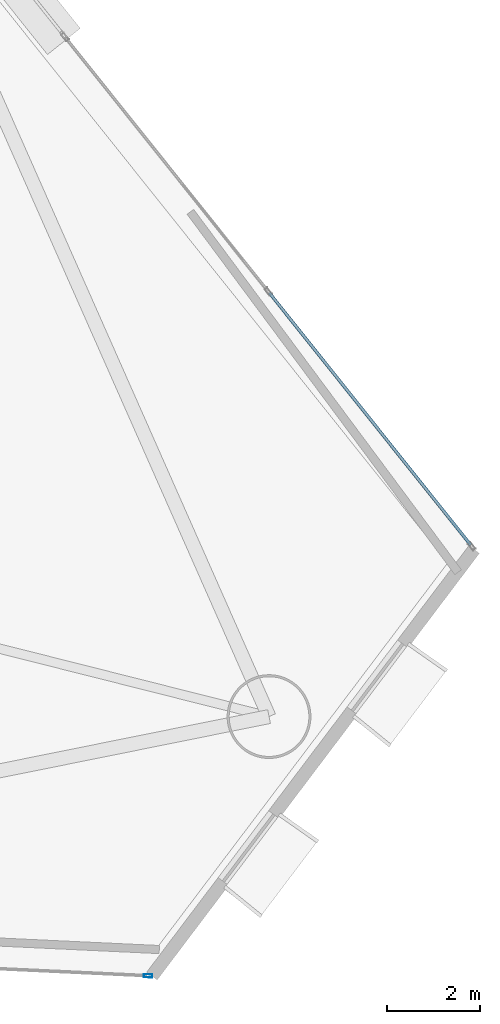
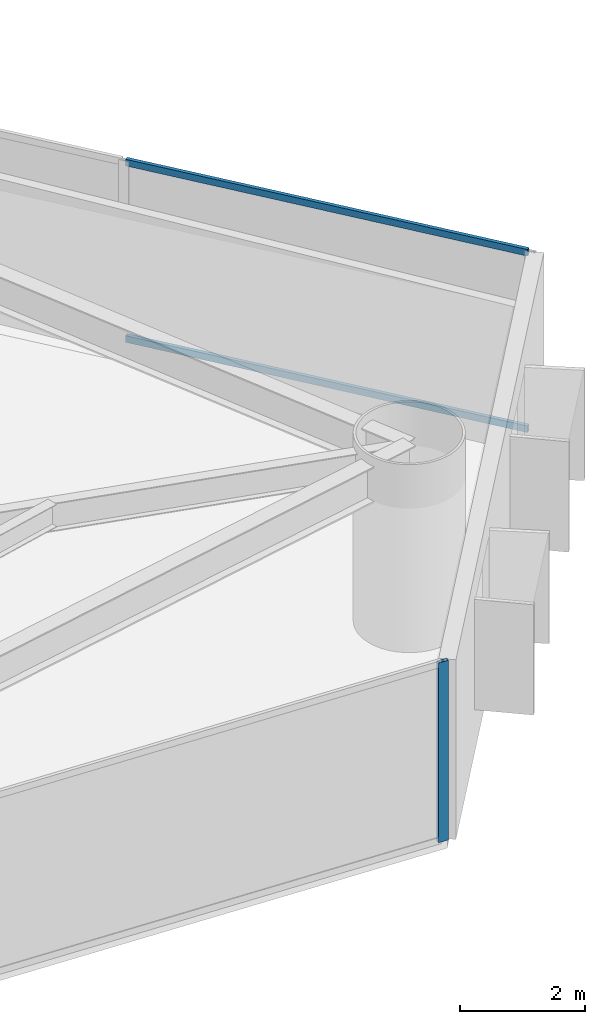
# One storey, part 12 of 23: 3 members, 2 elements without a shape of their own.
"""IFC4 building model written with IfcOpenShell, lengths in metres."""

from ifc_helpers import new_model, si_unit, direction, frame, origin, origin_2d, place, context, subcontext, project, spatial, hollow_rectangle, extrude, material, layer, layer_set, material_profile, profile_set, type_object, element, aggregate, save


model = new_model("IFC4")

# Units and contexts
model_context = context("Model", 3, precision=1e-05, world=origin(), true_north=direction((0.0, 1.0)))
body_context = subcontext(model_context, "Body", "Model", "MODEL_VIEW")
ifc_project = project(units=[si_unit("LENGTHUNIT", "METRE"), si_unit("AREAUNIT", "SQUARE_METRE"), si_unit("VOLUMEUNIT", "CUBIC_METRE"), si_unit("PLANEANGLEUNIT", "RADIAN"), si_unit("MASSUNIT", "GRAM", prefix="KILO")], contexts=[model_context])

# Site, building, storey
site_placement = place(None, origin())
site = spatial("IfcSite", under=ifc_project, at=site_placement, CompositionType="ELEMENT")
building_placement = place(site_placement, origin())
building = spatial("IfcBuilding", under=site, at=building_placement, Name="Qianvela Tower", CompositionType="ELEMENT")
storey_placement = place(building_placement, frame((0.0, 0.0, 29.39990234375)))
storey = spatial("IfcBuildingStorey", under=building, at=storey_placement, Name="L06", CompositionType="ELEMENT", Elevation=29.39990234375)

# Curtain wall, member
ifc_material_1 = material(Name="Anodised Architectural Aluminium and Low-E Glass", Category="aluminium")
ifc_layer = layer(ifc_material_1, 0.179931640625)
ifc_layer_set = layer_set([ifc_layer], Name="Anodised Architectural Aluminium and Low-E Glass")
curtain_wall_type = type_object("IfcCurtainWallType", Name="CW-COLIV-Z12", PredefinedType="USERDEFINED", material=ifc_layer_set)
curtain_wall_1_placement = place(storey_placement, origin())
curtain_wall_1 = element("IfcCurtainWall", 1, at=curtain_wall_1_placement, inside=storey, type_object=curtain_wall_type, Name="L06 CW-COLIV-Z12 Curtain Wall 06C", ObjectType="CURTAIN_WALL_SYSTEM", PredefinedType="USERDEFINED")
ifc_material_2 = material(Name="Anodised Architectural Aluminium 6063-T6", Category="aluminium")
ifc_material_profile_1 = material_profile(ifc_material_2, hollow_rectangle(XDim=0.070068359375, YDim=0.179931640625, WallThickness=0.0048828125, at=origin_2d()), Name="ALU-MULL-70x180")
ifc_profile_set_1 = profile_set([ifc_material_profile_1], Name="Anodised Architectural Aluminium 6063-T6")
member_type_1 = type_object("IfcMemberType", Name="CW-COLIV-Z12-MULL", PredefinedType="MULLION", material=ifc_profile_set_1)
member_1_placement = place(storey_placement, frame((51.914306640625, 11.75048828125, 0.0), z_axis=(0.0, 0.0, 1.0), x_axis=(0.046879657614, 0.99890054445, 0.0)))
member_1 = element("IfcMember", 2, at=member_1_placement, type_object=member_type_1, Name="CW-3 mullion 2", PredefinedType="MULLION", context=body_context, shape_type="SweptSolid", body=[
    extrude(hollow_rectangle(XDim=0.070068359375, YDim=0.179931640625, WallThickness=0.0048828125, at=origin_2d()), origin(), (0.0, 0.0, 1.0), 3.52001953125),
])
aggregate(curtain_wall_1, [member_1])

# Curtain wall, members
curtain_wall_2_placement = place(storey_placement, origin())
curtain_wall_2 = element("IfcCurtainWall", 3, at=curtain_wall_2_placement, inside=storey, type_object=curtain_wall_type, Name="L06 CW-COLIV-Z12 Curtain Wall 02A", ObjectType="CURTAIN_WALL_SYSTEM", PredefinedType="USERDEFINED")
ifc_material_3 = material(Name="Anodised Architectural Aluminium 6063-T6", Category="aluminium")
ifc_material_profile_2 = material_profile(ifc_material_3, hollow_rectangle(XDim=0.06494140625, YDim=0.1298828125, WallThickness=0.00439453125, at=origin_2d()), Name="ALU-TRAN-65x130")
ifc_profile_set_2 = profile_set([ifc_material_profile_2], Name="Anodised Architectural Aluminium 6063-T6")
member_type_2 = type_object("IfcMemberType", Name="CW-COLIV-Z12-TRAN", PredefinedType="USERDEFINED", material=ifc_profile_set_2)
member_2_placement = place(storey_placement, frame((58.842529296875, 21.0, 0.03271484375), z_axis=(-0.623968191879, 0.781449739601, 0.0), x_axis=(-0.781449739601, -0.623968191879, 0.0)))
member_2 = element("IfcMember", 4, at=member_2_placement, type_object=member_type_2, Name="CW-3 transom 1.1", ObjectType="TRANSOM", PredefinedType="USERDEFINED", context=body_context, shape_type="SweptSolid", body=[
    extrude(hollow_rectangle(XDim=0.06494140625, YDim=0.1298828125, WallThickness=0.00439453125, at=origin_2d()), origin(), (0.0, 0.0, 1.0), 6.925048828125),
])
member_3_placement = place(storey_placement, frame((58.842529296875, 21.0, 3.487548828125), z_axis=(-0.623968191879, 0.781449739601, 0.0), x_axis=(-0.781449739601, -0.623968191879, 0.0)))
member_3 = element("IfcMember", 5, at=member_3_placement, type_object=member_type_2, Name="CW-3 transom 1.2", ObjectType="TRANSOM", PredefinedType="USERDEFINED", context=body_context, shape_type="SweptSolid", body=[
    extrude(hollow_rectangle(XDim=0.06494140625, YDim=0.1298828125, WallThickness=0.00439453125, at=origin_2d()), origin(), (0.0, 0.0, 1.0), 6.925048828125),
])
aggregate(curtain_wall_2, [member_2, member_3])

save(model, "model.ifc")
